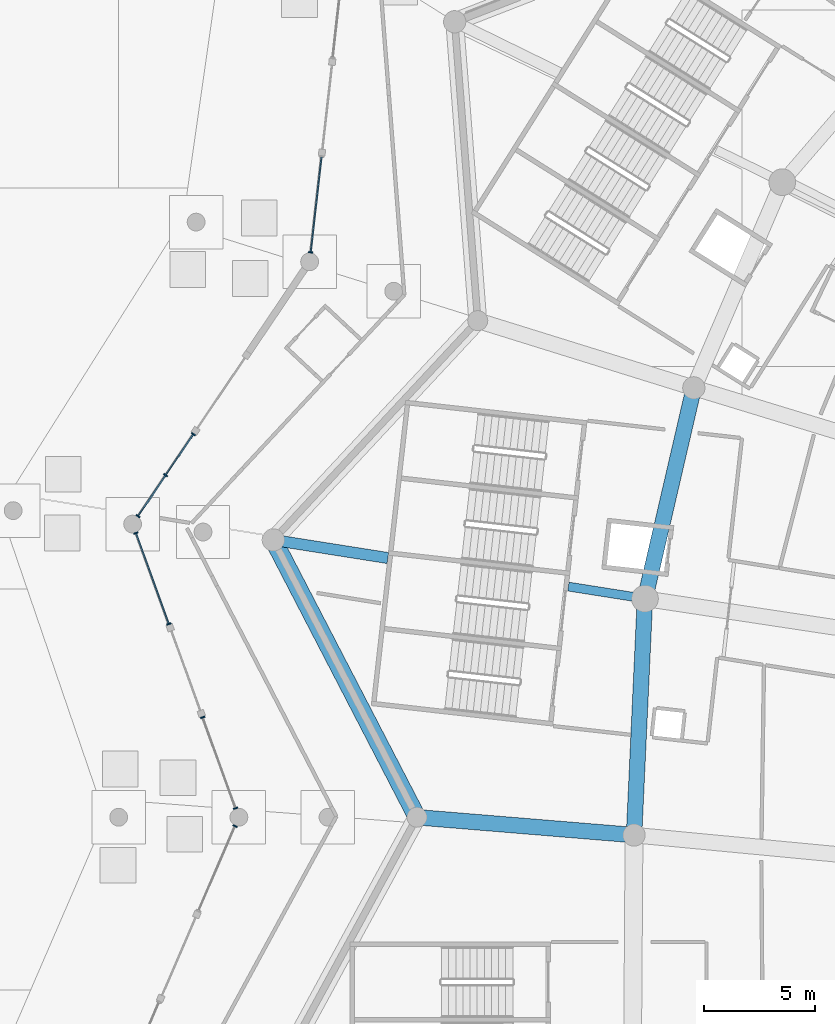
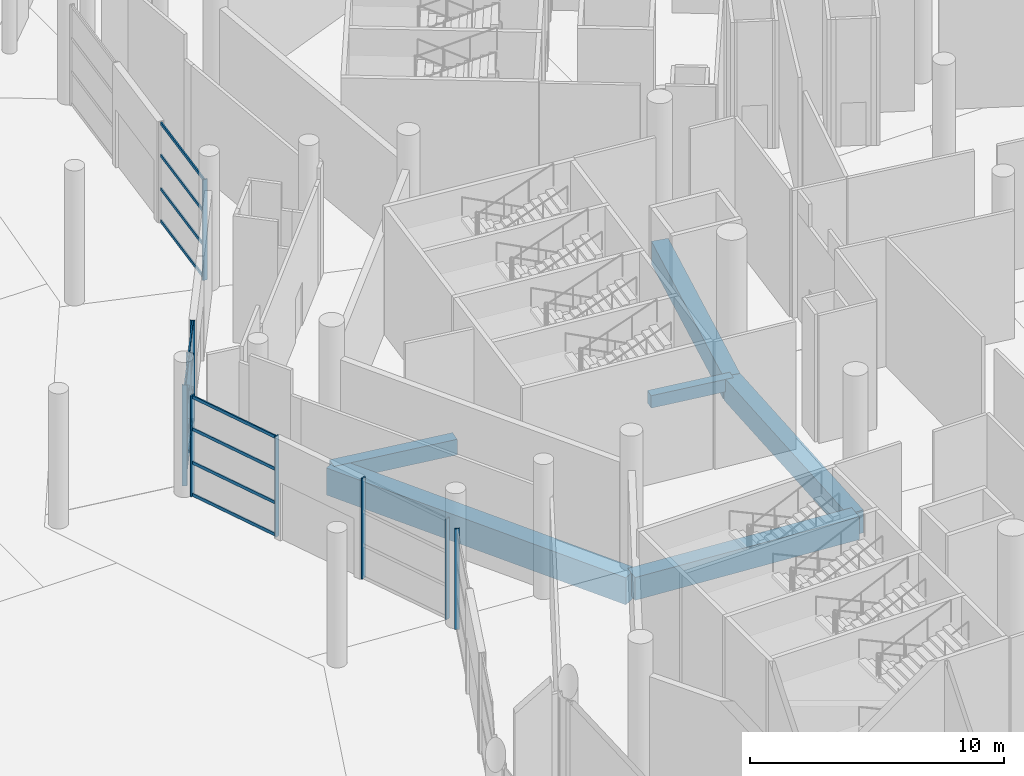
# One storey, part 44 of 255: 25 members, 6 beams, 5 elements without a shape of their own.
"""IFC4 building model written with IfcOpenShell, lengths in metres."""

import ifcopenshell
import ifcopenshell.guid

model = None  # the IFC model being written
_history = None  # IfcOwnerHistory: only IFC2X3 demands one
_inside = {}  # id of a spatial element -> (the spatial element, [elements in it])
_under = {}  # id of a project, library or spatial element -> (it, [spatial elements below it])
_declared = {}  # id of a project -> (the project, [libraries it declares])
_typed = {}  # id of a type object -> (the type object, [elements of that type])
_made_of = {}  # id of a material, layer set ... -> (it, [elements and type objects made of it])


def new_model(schema):
    """Start an empty IFC model of exactly this schema.

    Asked for "IFC4X3", IfcOpenShell would pick the latest addendum, in which some entities
    have other attributes; the version numbers below select the first issue.
    IFC2X3 requires an IfcOwnerHistory on every rooted entity: one is made here for all.
    """
    global model, _history
    if schema == "IFC4X3":
        model = ifcopenshell.file(schema_version=(4, 3, 0, 0))
    else:
        model = ifcopenshell.file(schema=schema)
    _inside.clear()
    _under.clear()
    _declared.clear()
    _typed.clear()
    _made_of.clear()
    _history = None
    if model.schema == "IFC2X3":
        org = make("IfcOrganization", Name="unknown")
        user = make(
            "IfcPersonAndOrganization",
            ThePerson=make("IfcPerson", FamilyName="unknown"),
            TheOrganization=org,
        )
        app = make(
            "IfcApplication",
            ApplicationDeveloper=org,
            Version="unknown",
            ApplicationFullName="unknown",
            ApplicationIdentifier="unknown",
        )
        _history = make(
            "IfcOwnerHistory",
            OwningUser=user,
            OwningApplication=app,
            ChangeAction="ADDED",
            CreationDate=0,
        )
    return model


def make(cls, **values):
    """One entity of the class cls with the attributes given. An attribute that is None is left unset."""
    return model.create_entity(
        cls, **{name: value for name, value in values.items() if value is not None}
    )


def rooted(cls, **values):
    """An entity with a GlobalId (a new one), such as an element, a storey or a relation."""
    return make(cls, GlobalId=ifcopenshell.guid.new(), OwnerHistory=_history, **values)


def si_unit(unit_type, name, prefix=None):
    """IfcSIUnit, for example si_unit("LENGTHUNIT", "METRE", prefix="MILLI")."""
    return make("IfcSIUnit", UnitType=unit_type, Prefix=prefix, Name=name)


def assignment(units):
    """IfcUnitAssignment: the units of a project."""
    return None if units is None else make("IfcUnitAssignment", Units=units)


def point(xyz):
    """IfcCartesianPoint."""
    return None if xyz is None else make("IfcCartesianPoint", Coordinates=xyz)


def direction(xyz):
    """IfcDirection."""
    return None if xyz is None else make("IfcDirection", DirectionRatios=xyz)


def frame(location, z_axis=None, x_axis=None):
    """IfcAxis2Placement3D, a coordinate frame: its origin and axes. An axis left out is left unset."""
    return make(
        "IfcAxis2Placement3D",
        Location=point(location),
        Axis=direction(z_axis),
        RefDirection=direction(x_axis),
    )


def frame_2d(location, x_axis=None):
    """IfcAxis2Placement2D, a coordinate frame in the plane: its origin and x axis."""
    return make(
        "IfcAxis2Placement2D", Location=point(location), RefDirection=direction(x_axis)
    )


def origin():
    """The frame at (0, 0, 0) with its axes left unset."""
    return frame((0.0, 0.0, 0.0))


def origin_2d():
    """The frame at (0, 0) in the plane with its x axis left unset."""
    return frame_2d((0.0, 0.0))


def place(relative_to, where):
    """IfcLocalPlacement: puts the frame where relative to a parent placement (None: the world)."""
    return make(
        "IfcLocalPlacement", PlacementRelTo=relative_to, RelativePlacement=where
    )


def context(
    kind, dimensions, precision=None, world=None, true_north=None, identifier=None
):
    """IfcGeometricRepresentationContext, for example the 3D "Model" context."""
    return make(
        "IfcGeometricRepresentationContext",
        ContextIdentifier=identifier,
        ContextType=kind,
        CoordinateSpaceDimension=dimensions,
        Precision=precision,
        WorldCoordinateSystem=world,
        TrueNorth=true_north,
    )


def subcontext(parent, identifier, kind, view, scale=None):
    """IfcGeometricRepresentationSubContext, for example "Body" below "Model"."""
    return make(
        "IfcGeometricRepresentationSubContext",
        ContextIdentifier=identifier,
        ContextType=kind,
        ParentContext=parent,
        TargetScale=scale,
        TargetView=view,
    )


def project(units=None, contexts=None):
    """IfcProject with its units and contexts."""
    return rooted(
        "IfcProject",
        Name="project",
        RepresentationContexts=contexts,
        UnitsInContext=assignment(units),
    )


def spatial(cls, under=None, at=None, **own):
    """A site, building, storey or space (cls), placed at a placement, below another one or the project."""
    s = rooted(cls, ObjectPlacement=at, **own)
    if under is not None:
        _under.setdefault(under.id(), (under, []))[1].append(s)
    return s


def profile(cls, at=None, kind="AREA", **sizes):
    """A parametric profile (cls). Its sizes go by their IFC names, for example OverallWidth=200.0."""
    return make(cls, ProfileType=kind, Position=at, **sizes)


def rectangle(**sizes):
    """IfcRectangleProfileDef."""
    return profile("IfcRectangleProfileDef", **sizes)


def extrude(swept, where, along, depth):
    """IfcExtrudedAreaSolid: the profile swept, set in the frame where, extruded along a direction by depth."""
    return make(
        "IfcExtrudedAreaSolid",
        SweptArea=swept,
        Position=where,
        ExtrudedDirection=direction(along),
        Depth=depth,
    )


def shape(context_of_items, identifier, shape_type, items):
    """IfcShapeRepresentation: the items that make up one representation, for example the "Body"."""
    return make(
        "IfcShapeRepresentation",
        ContextOfItems=context_of_items,
        RepresentationIdentifier=identifier,
        RepresentationType=shape_type,
        Items=items,
    )


def material(Name=None, Category=None):
    """IfcMaterial."""
    return make("IfcMaterial", Name=Name, Category=Category)


def layer(
    of_material, thickness, ventilated=None, Name=None, Category=None, Priority=None
):
    """IfcMaterialLayer: one layer of a wall or slab, of a material (None: an air gap)."""
    return make(
        "IfcMaterialLayer",
        Material=of_material,
        LayerThickness=thickness,
        IsVentilated=ventilated,
        Name=Name,
        Category=Category,
        Priority=Priority,
    )


def layer_set(layers, Name=None):
    """IfcMaterialLayerSet."""
    return make("IfcMaterialLayerSet", MaterialLayers=layers, LayerSetName=Name)


def material_profile(
    of_material, cross_section, Name=None, Category=None, Priority=None
):
    """IfcMaterialProfile: a cross section and its material."""
    return make(
        "IfcMaterialProfile",
        Name=Name,
        Material=of_material,
        Profile=cross_section,
        Priority=Priority,
        Category=Category,
    )


def profile_set(profiles, Name=None, composite=None):
    """IfcMaterialProfileSet."""
    return make(
        "IfcMaterialProfileSet",
        Name=Name,
        MaterialProfiles=profiles,
        CompositeProfile=composite,
    )


def made_of(thing, what):
    """Note that an element or type object is made of a material, layer set ...; save() writes the relation."""
    if what is not None:
        _made_of.setdefault(what.id(), (what, []))[1].append(thing)
    return thing


def type_object(cls, material=None, **own):
    """A type object (cls), such as IfcWallType, which elements share."""
    return made_of(rooted(cls, **own), material)


def element(
    cls,
    number,
    at=None,
    inside=None,
    cuts=None,
    type_object=None,
    material=None,
    context=None,
    identifier="Body",
    shape_type=None,
    held_by="IfcProductDefinitionShape",
    body=None,
    shapes=None,
    **own,
):
    """One element of the class cls, such as IfcWall. Its Tag is "e" and its number.

    at: its placement. inside: the storey or other place that contains it. cuts: it is an
    opening in that element (IfcRelVoidsElement). A single representation is given by context,
    identifier, shape_type and body (its items); several are given by shapes. held_by: the class
    of the entity that holds the representations. save() writes the other relations.
    """
    e = rooted(cls, Tag="e%d" % number, ObjectPlacement=at, **own)
    if body is not None:
        shapes = [shape(context, identifier, shape_type, body)]
    if shapes is not None:
        e.Representation = make(held_by, Representations=shapes)
    if inside is not None:
        _inside.setdefault(inside.id(), (inside, []))[1].append(e)
    if cuts is not None:
        rooted(
            "IfcRelVoidsElement", RelatingBuildingElement=cuts, RelatedOpeningElement=e
        )
    if type_object is not None:
        _typed.setdefault(type_object.id(), (type_object, []))[1].append(e)
    return made_of(e, material)


def aggregate(whole, parts):
    """IfcRelAggregates: a whole, such as a stair, and the parts it consists of."""
    return rooted("IfcRelAggregates", RelatingObject=whole, RelatedObjects=parts)


def save(model, path):
    """Write the relations noted so far, then the file.

    IfcRelAggregates (storeys below a building ...), IfcRelContainedInSpatialStructure (elements
    in a storey), IfcRelDefinesByType, IfcRelAssociatesMaterial and IfcRelDeclares: one each for
    every whole, place, type object, material and project.
    """
    for whole, parts in _under.values():
        aggregate(whole, parts)
    for where, things in _inside.values():
        rooted(
            "IfcRelContainedInSpatialStructure",
            RelatedElements=things,
            RelatingStructure=where,
        )
    for kind, things in _typed.values():
        rooted("IfcRelDefinesByType", RelatedObjects=things, RelatingType=kind)
    for what, things in _made_of.values():
        rooted("IfcRelAssociatesMaterial", RelatedObjects=things, RelatingMaterial=what)
    for by, libraries in _declared.values():
        rooted("IfcRelDeclares", RelatingContext=by, RelatedDefinitions=libraries)
    model.write(path)


model = new_model("IFC4")

# Units and contexts
model_context = context("Model", 3, precision=1e-05, world=origin(), true_north=direction((0.0, 1.0)))
body_context = subcontext(model_context, "Body", "Model", "MODEL_VIEW")
ifc_project = project(units=[si_unit("LENGTHUNIT", "METRE"), si_unit("AREAUNIT", "SQUARE_METRE"), si_unit("VOLUMEUNIT", "CUBIC_METRE"), si_unit("PLANEANGLEUNIT", "RADIAN"), si_unit("MASSUNIT", "GRAM", prefix="KILO")], contexts=[model_context])

# Site, building, storey
site_placement = place(None, origin())
site = spatial("IfcSite", under=ifc_project, at=site_placement, CompositionType="ELEMENT")
building_placement = place(site_placement, origin())
building = spatial("IfcBuilding", under=site, at=building_placement, Name="Meseta Stadium", CompositionType="ELEMENT")
storey_placement = place(building_placement, origin())
storey = spatial("IfcBuildingStorey", under=building, at=storey_placement, Name="L00", CompositionType="ELEMENT", Elevation=0.0)

# Beams
ifc_material_1 = material(Name="Concrete C40/50", Category="concrete")
ifc_material_profile_1 = material_profile(ifc_material_1, rectangle(XDim=0.39990234375, YDim=0.60009765625, at=origin_2d()), Name="RC 400x600")
ifc_profile_set_1 = profile_set([ifc_material_profile_1], Name="Concrete C40/50")
beam_type_1 = type_object("IfcBeamType", Name="RC beam 400x600", PredefinedType="BEAM", material=ifc_profile_set_1)
beam_1_placement = place(storey_placement, frame((-84.36328125, 53.5654296875, -0.699951171875), z_axis=(-0.987745905014, 0.156070583799, 0.0), x_axis=(-0.156070583799, -0.987745905014, 0.0)))
element("IfcBeam", 1, at=beam_1_placement, inside=storey, type_object=beam_type_1, Name="L00 radial beam frame 28 line P to R", PredefinedType="BEAM", context=body_context, shape_type="SweptSolid", body=[
    extrude(rectangle(XDim=0.39990234375, YDim=0.60009765625, at=origin_2d()), origin(), (0.0, 0.0, 1.0), 3.482177734375),
])
ifc_material_2 = material(Name="Concrete C40/50", Category="concrete")
ifc_material_profile_2 = material_profile(ifc_material_2, rectangle(XDim=0.5, YDim=0.75, at=origin_2d()), Name="RC 500x750")
ifc_profile_set_2 = profile_set([ifc_material_profile_2], Name="Concrete C40/50")
beam_type_2 = type_object("IfcBeamType", Name="RC beam 500x750", PredefinedType="BEAM", material=ifc_profile_set_2)
beam_2_placement = place(storey_placement, frame((-95.910400390625, 55.390380859375, -0.77490234375), z_axis=(-0.987742039994, 0.156095042932, 0.0), x_axis=(-0.156095042932, -0.987742039994, 0.0)))
element("IfcBeam", 2, at=beam_2_placement, inside=storey, type_object=beam_type_2, Name="L00 radial beam frame 28 line P to R", PredefinedType="BEAM", context=body_context, shape_type="SweptSolid", body=[
    extrude(rectangle(XDim=0.5, YDim=0.75, at=origin_2d()), origin(), (0.0, 0.0, 1.0), 5.205078125),
])
ifc_material_3 = material(Name="Concrete C40/50", Category="concrete")
ifc_material_profile_3 = material_profile(ifc_material_3, rectangle(XDim=0.699951171875, YDim=1.10009765625, at=origin_2d()), Name="RC 700x1100")
ifc_profile_set_3 = profile_set([ifc_material_profile_3], Name="Concrete C40/50")
beam_type_3 = type_object("IfcBeamType", Name="RC beam 700x1100", PredefinedType="BEAM", material=ifc_profile_set_3)
beam_3_placement = place(storey_placement, frame((-82.169189453125, 63.03369140625, -0.949951171875), z_axis=(-0.225749180431, -0.974185458491, 0.0), x_axis=(0.974185458491, -0.225749180431, 0.0)))
element("IfcBeam", 3, at=beam_3_placement, inside=storey, type_object=beam_type_3, Name="L00 ring beam frame 27 line P", PredefinedType="BEAM", context=body_context, shape_type="SweptSolid", body=[
    extrude(rectangle(XDim=0.699951171875, YDim=1.10009765625, at=origin_2d()), origin(), (0.0, 0.0, 1.0), 9.71923828125),
])
beam_4_placement = place(storey_placement, frame((-84.36328125, 53.5654296875, -0.949951171875), z_axis=(-0.046171416705, -0.998933531462, 0.0), x_axis=(0.998933531462, -0.046171416705, 0.0)))
element("IfcBeam", 4, at=beam_4_placement, inside=storey, type_object=beam_type_3, Name="L00 ring beam frame 28 line P", PredefinedType="BEAM", context=body_context, shape_type="SweptSolid", body=[
    extrude(rectangle(XDim=0.699951171875, YDim=1.10009765625, at=origin_2d()), origin(), (0.0, 0.0, 1.0), 10.628173828125),
])
beam_5_placement = place(storey_placement, frame((-84.85400390625, 42.948486328125, -0.949951171875), z_axis=(-0.996635391437, 0.081962775303, 0.0), x_axis=(-0.081962775303, -0.996635391437, 0.0)))
element("IfcBeam", 5, at=beam_5_placement, inside=storey, type_object=beam_type_3, Name="L00 radial beam frame 29 line P to R", PredefinedType="BEAM", context=body_context, shape_type="SweptSolid", body=[
    extrude(rectangle(XDim=0.699951171875, YDim=1.10009765625, at=origin_2d()), origin(), (0.0, 0.0, 1.0), 9.779052734375),
])
ifc_material_4 = material(Name="Concrete C40/50", Category="concrete")
ifc_material_profile_4 = material_profile(ifc_material_4, rectangle(XDim=0.800048828125, YDim=1.300048828125, at=origin_2d()), Name="RC 800x1300")
ifc_profile_set_4 = profile_set([ifc_material_profile_4], Name="Concrete C40/50")
beam_type_4 = type_object("IfcBeamType", Name="RC beam 800x1300", PredefinedType="BEAM", material=ifc_profile_set_4)
beam_6_placement = place(storey_placement, frame((-101.0517578125, 56.202880859375, -1.050048828125), z_axis=(0.460014301189, -0.887911506121, 0.0), x_axis=(0.887911506121, 0.460014301189, 0.0)))
element("IfcBeam", 6, at=beam_6_placement, inside=storey, type_object=beam_type_4, Name="L00 ring beam frame 28 line R", PredefinedType="BEAM", context=body_context, shape_type="SweptSolid", body=[
    extrude(rectangle(XDim=0.800048828125, YDim=1.300048828125, at=origin_2d()), origin(), (0.0, 0.0, 1.0), 14.02490234375),
])

# Curtain wall, member
ifc_material_5 = material(Name="Aluminium", Category="aluminium")
ifc_layer = layer(ifc_material_5, 0.199951171875)
ifc_layer_set = layer_set([ifc_layer], Name="Ring shopfront curtain wall")
curtain_wall_type = type_object("IfcCurtainWallType", Name="Ring shopfront curtain wall", PredefinedType="NOTDEFINED", material=ifc_layer_set)
curtain_wall_1_placement = place(storey_placement, origin())
curtain_wall_1 = element("IfcCurtainWall", 7, at=curtain_wall_1_placement, inside=storey, type_object=curtain_wall_type, Name="Shopfront glazing F26b", PredefinedType="NOTDEFINED")
ifc_material_6 = material(Name="Aluminium", Category="aluminium")
ifc_material_profile_5 = material_profile(ifc_material_6, rectangle(XDim=0.199951171875, YDim=0.06005859375, at=origin_2d()), Name="CW 200x60")
ifc_profile_set_5 = profile_set([ifc_material_profile_5], Name="Aluminium")
member_type_1 = type_object("IfcMemberType", Name="Ring CW mullion 60x200", PredefinedType="MULLION", material=ifc_profile_set_5)
member_1_placement = place(storey_placement, frame((-99.37548828125, 69.12109375, 0.0), z_axis=(0.0, 0.0, 1.0), x_axis=(0.993654842707, -0.112472456913, 0.0)))
member_1 = element("IfcMember", 8, at=member_1_placement, type_object=member_type_1, Name="CWR1 mullion 2", PredefinedType="MULLION", context=body_context, shape_type="SweptSolid", body=[
    extrude(rectangle(XDim=0.199951171875, YDim=0.06005859375, at=origin_2d()), origin(), (0.0, 0.0, 1.0), 4.85009765625),
])

# Curtain wall, members
curtain_wall_2_placement = place(storey_placement, origin())
curtain_wall_2 = element("IfcCurtainWall", 9, at=curtain_wall_2_placement, inside=storey, type_object=curtain_wall_type, Name="Shopfront glazing F27b", PredefinedType="NOTDEFINED")
member_2_placement = place(storey_placement, frame((-104.6455078125, 60.955810546875, 0.0), z_axis=(0.0, 0.0, 1.0), x_axis=(0.828919178909, -0.559368389201, 0.0)))
member_2 = element("IfcMember", 10, at=member_2_placement, type_object=member_type_1, Name="CWR1 mullion 1", PredefinedType="MULLION", context=body_context, shape_type="SweptSolid", body=[
    extrude(rectangle(XDim=0.199951171875, YDim=0.06005859375, at=origin_2d()), origin(), (0.0, 0.0, 1.0), 4.85009765625),
])
member_3_placement = place(storey_placement, frame((-105.888671875, 59.11376953125, 0.0), z_axis=(0.0, 0.0, 1.0), x_axis=(0.828919178909, -0.559368389201, 0.0)))
member_3 = element("IfcMember", 11, at=member_3_placement, type_object=member_type_1, Name="CWR1 mullion 2", PredefinedType="MULLION", context=body_context, shape_type="SweptSolid", body=[
    extrude(rectangle(XDim=0.199951171875, YDim=0.06005859375, at=origin_2d()), origin(), (0.0, 0.0, 1.0), 4.85009765625),
])
member_4_placement = place(storey_placement, frame((-107.1318359375, 57.271484375, 0.0), z_axis=(0.0, 0.0, 1.0), x_axis=(0.828919178909, -0.559368389201, 0.0)))
member_4 = element("IfcMember", 12, at=member_4_placement, type_object=member_type_1, Name="CWR1 mullion 3", PredefinedType="MULLION", context=body_context, shape_type="SweptSolid", body=[
    extrude(rectangle(XDim=0.199951171875, YDim=0.06005859375, at=origin_2d()), origin(), (0.0, 0.0, 1.0), 4.85009765625),
])

curtain_wall_3_placement = place(storey_placement, origin())
curtain_wall_3 = element("IfcCurtainWall", 13, at=curtain_wall_3_placement, inside=storey, type_object=curtain_wall_type, Name="Shopfront glazing F28a", PredefinedType="NOTDEFINED")
member_5_placement = place(storey_placement, frame((-107.225830078125, 56.5107421875, 0.0), z_axis=(0.0, 0.0, 1.0), x_axis=(0.940135883188, 0.340799825619, 0.0)))
member_5 = element("IfcMember", 14, at=member_5_placement, type_object=member_type_1, Name="CWR1 mullion 1", PredefinedType="MULLION", context=body_context, shape_type="SweptSolid", body=[
    extrude(rectangle(XDim=0.199951171875, YDim=0.06005859375, at=origin_2d()), origin(), (0.0, 0.0, 1.0), 4.85009765625),
])
member_6_placement = place(storey_placement, frame((-105.74609375, 52.428955078125, 0.0), z_axis=(0.0, 0.0, 1.0), x_axis=(0.940135883188, 0.340799825619, 0.0)))
member_6 = element("IfcMember", 15, at=member_6_placement, type_object=member_type_1, Name="CWR1 mullion 2", PredefinedType="MULLION", context=body_context, shape_type="SweptSolid", body=[
    extrude(rectangle(XDim=0.199951171875, YDim=0.06005859375, at=origin_2d()), origin(), (0.0, 0.0, 1.0), 4.85009765625),
])

curtain_wall_4_placement = place(storey_placement, origin())
curtain_wall_4 = element("IfcCurtainWall", 16, at=curtain_wall_4_placement, inside=storey, type_object=curtain_wall_type, Name="Shopfront glazing F28b", PredefinedType="NOTDEFINED")
member_7_placement = place(storey_placement, frame((-104.22607421875, 48.236083984375, 0.0), z_axis=(0.0, 0.0, 1.0), x_axis=(0.940133244479, 0.340807104716, 0.0)))
member_7 = element("IfcMember", 17, at=member_7_placement, type_object=member_type_1, Name="CWR1 mullion 1", PredefinedType="MULLION", context=body_context, shape_type="SweptSolid", body=[
    extrude(rectangle(XDim=0.199951171875, YDim=0.06005859375, at=origin_2d()), origin(), (0.0, 0.0, 1.0), 4.85009765625),
])
member_8_placement = place(storey_placement, frame((-102.74658203125, 44.154296875, 0.0), z_axis=(0.0, 0.0, 1.0), x_axis=(0.940133244479, 0.340807104716, 0.0)))
member_8 = element("IfcMember", 18, at=member_8_placement, type_object=member_type_1, Name="CWR1 mullion 2", PredefinedType="MULLION", context=body_context, shape_type="SweptSolid", body=[
    extrude(rectangle(XDim=0.199951171875, YDim=0.06005859375, at=origin_2d()), origin(), (0.0, 0.0, 1.0), 4.85009765625),
])
aggregate(curtain_wall_4, [member_7, member_8])

# Curtain wall, member
curtain_wall_5_placement = place(storey_placement, origin())
curtain_wall_5 = element("IfcCurtainWall", 19, at=curtain_wall_5_placement, inside=storey, type_object=curtain_wall_type, Name="Shopfront glazing F29a", PredefinedType="NOTDEFINED")
member_9_placement = place(storey_placement, frame((-102.7705078125, 43.355224609375, 0.0), z_axis=(0.0, 0.0, 1.0), x_axis=(0.918001803218, -0.396576208678, 0.0)))
member_9 = element("IfcMember", 20, at=member_9_placement, type_object=member_type_1, Name="CWR1 mullion 1", PredefinedType="MULLION", context=body_context, shape_type="SweptSolid", body=[
    extrude(rectangle(XDim=0.199951171875, YDim=0.06005859375, at=origin_2d()), origin(), (0.0, 0.0, 1.0), 4.85009765625),
])
aggregate(curtain_wall_5, [member_9])

# Member
ifc_material_7 = material(Name="Aluminium", Category="aluminium")
ifc_material_profile_6 = material_profile(ifc_material_7, rectangle(XDim=0.06005859375, YDim=0.14990234375, at=origin_2d()), Name="CW 60x150")
ifc_profile_set_6 = profile_set([ifc_material_profile_6], Name="Aluminium")
member_type_2 = type_object("IfcMemberType", Name="Ring CW transom 60x150", PredefinedType="USERDEFINED", material=ifc_profile_set_6)
member_10_placement = place(storey_placement, frame((-98.89208984375, 73.3916015625, 0.074951171875), z_axis=(-0.112465570135, -0.993655622202, 0.0), x_axis=(0.993655622202, -0.112465570135, 0.0)))
member_10 = element("IfcMember", 21, at=member_10_placement, type_object=member_type_2, Name="CWR1 transom 1.1", ObjectType="TRANSOM", PredefinedType="USERDEFINED", context=body_context, shape_type="SweptSolid", body=[
    extrude(rectangle(XDim=0.06005859375, YDim=0.14990234375, at=origin_2d()), origin(), (0.0, 0.0, 1.0), 4.267822265625),
])

member_11_placement = place(storey_placement, frame((-98.89208984375, 73.3916015625, 1.61669921875), z_axis=(-0.112465570135, -0.993655622202, 0.0), x_axis=(0.993655622202, -0.112465570135, 0.0)))
member_11 = element("IfcMember", 22, at=member_11_placement, type_object=member_type_2, Name="CWR1 transom 1.2", ObjectType="TRANSOM", PredefinedType="USERDEFINED", context=body_context, shape_type="SweptSolid", body=[
    extrude(rectangle(XDim=0.06005859375, YDim=0.14990234375, at=origin_2d()), origin(), (0.0, 0.0, 1.0), 4.267822265625),
])

member_12_placement = place(storey_placement, frame((-98.89208984375, 73.3916015625, 3.2333984375), z_axis=(-0.112465570135, -0.993655622202, 0.0), x_axis=(0.993655622202, -0.112465570135, 0.0)))
member_12 = element("IfcMember", 23, at=member_12_placement, type_object=member_type_2, Name="CWR1 transom 1.3", ObjectType="TRANSOM", PredefinedType="USERDEFINED", context=body_context, shape_type="SweptSolid", body=[
    extrude(rectangle(XDim=0.06005859375, YDim=0.14990234375, at=origin_2d()), origin(), (0.0, 0.0, 1.0), 4.267822265625),
])

member_13_placement = place(storey_placement, frame((-98.89208984375, 73.3916015625, 4.77490234375), z_axis=(-0.112465570135, -0.993655622202, 0.0), x_axis=(0.993655622202, -0.112465570135, 0.0)))
member_13 = element("IfcMember", 24, at=member_13_placement, type_object=member_type_2, Name="CWR1 transom 1.4", ObjectType="TRANSOM", PredefinedType="USERDEFINED", context=body_context, shape_type="SweptSolid", body=[
    extrude(rectangle(XDim=0.06005859375, YDim=0.14990234375, at=origin_2d()), origin(), (0.0, 0.0, 1.0), 4.267822265625),
])

aggregate(curtain_wall_1, [member_1, member_10, member_11, member_12, member_13])

member_14_placement = place(storey_placement, frame((-104.662353515625, 60.93115234375, 0.074951171875), z_axis=(-0.559329352587, -0.828945520124, 0.0), x_axis=(0.828945520124, -0.559329352587, 0.0)))
member_14 = element("IfcMember", 25, at=member_14_placement, type_object=member_type_2, Name="CWR1 transom 1.1", ObjectType="TRANSOM", PredefinedType="USERDEFINED", context=body_context, shape_type="SweptSolid", body=[
    extrude(rectangle(XDim=0.06005859375, YDim=0.14990234375, at=origin_2d()), origin(), (0.0, 0.0, 1.0), 2.162353515625),
])

member_15_placement = place(storey_placement, frame((-104.662353515625, 60.93115234375, 1.61669921875), z_axis=(-0.559329352587, -0.828945520124, 0.0), x_axis=(0.828945520124, -0.559329352587, 0.0)))
member_15 = element("IfcMember", 26, at=member_15_placement, type_object=member_type_2, Name="CWR1 transom 1.2", ObjectType="TRANSOM", PredefinedType="USERDEFINED", context=body_context, shape_type="SweptSolid", body=[
    extrude(rectangle(XDim=0.06005859375, YDim=0.14990234375, at=origin_2d()), origin(), (0.0, 0.0, 1.0), 2.162353515625),
])

member_16_placement = place(storey_placement, frame((-104.662353515625, 60.93115234375, 3.2333984375), z_axis=(-0.559329352587, -0.828945520124, 0.0), x_axis=(0.828945520124, -0.559329352587, 0.0)))
member_16 = element("IfcMember", 27, at=member_16_placement, type_object=member_type_2, Name="CWR1 transom 1.3", ObjectType="TRANSOM", PredefinedType="USERDEFINED", context=body_context, shape_type="SweptSolid", body=[
    extrude(rectangle(XDim=0.06005859375, YDim=0.14990234375, at=origin_2d()), origin(), (0.0, 0.0, 1.0), 2.162353515625),
])

member_17_placement = place(storey_placement, frame((-104.662353515625, 60.93115234375, 4.77490234375), z_axis=(-0.559329352587, -0.828945520124, 0.0), x_axis=(0.828945520124, -0.559329352587, 0.0)))
member_17 = element("IfcMember", 28, at=member_17_placement, type_object=member_type_2, Name="CWR1 transom 1.4", ObjectType="TRANSOM", PredefinedType="USERDEFINED", context=body_context, shape_type="SweptSolid", body=[
    extrude(rectangle(XDim=0.06005859375, YDim=0.14990234375, at=origin_2d()), origin(), (0.0, 0.0, 1.0), 2.162353515625),
])

member_18_placement = place(storey_placement, frame((-105.905517578125, 59.0888671875, 0.074951171875), z_axis=(-0.559329352587, -0.828945520124, 0.0), x_axis=(0.828945520124, -0.559329352587, 0.0)))
member_18 = element("IfcMember", 29, at=member_18_placement, type_object=member_type_2, Name="CWR1 transom 2.1", ObjectType="TRANSOM", PredefinedType="USERDEFINED", context=body_context, shape_type="SweptSolid", body=[
    extrude(rectangle(XDim=0.06005859375, YDim=0.14990234375, at=origin_2d()), origin(), (0.0, 0.0, 1.0), 2.162353515625),
])

member_19_placement = place(storey_placement, frame((-105.905517578125, 59.0888671875, 1.61669921875), z_axis=(-0.559329352587, -0.828945520124, 0.0), x_axis=(0.828945520124, -0.559329352587, 0.0)))
member_19 = element("IfcMember", 30, at=member_19_placement, type_object=member_type_2, Name="CWR1 transom 2.2", ObjectType="TRANSOM", PredefinedType="USERDEFINED", context=body_context, shape_type="SweptSolid", body=[
    extrude(rectangle(XDim=0.06005859375, YDim=0.14990234375, at=origin_2d()), origin(), (0.0, 0.0, 1.0), 2.162353515625),
])

member_20_placement = place(storey_placement, frame((-105.905517578125, 59.0888671875, 3.2333984375), z_axis=(-0.559329352587, -0.828945520124, 0.0), x_axis=(0.828945520124, -0.559329352587, 0.0)))
member_20 = element("IfcMember", 31, at=member_20_placement, type_object=member_type_2, Name="CWR1 transom 2.3", ObjectType="TRANSOM", PredefinedType="USERDEFINED", context=body_context, shape_type="SweptSolid", body=[
    extrude(rectangle(XDim=0.06005859375, YDim=0.14990234375, at=origin_2d()), origin(), (0.0, 0.0, 1.0), 2.162353515625),
])

member_21_placement = place(storey_placement, frame((-105.905517578125, 59.0888671875, 4.77490234375), z_axis=(-0.559329352587, -0.828945520124, 0.0), x_axis=(0.828945520124, -0.559329352587, 0.0)))
member_21 = element("IfcMember", 32, at=member_21_placement, type_object=member_type_2, Name="CWR1 transom 2.4", ObjectType="TRANSOM", PredefinedType="USERDEFINED", context=body_context, shape_type="SweptSolid", body=[
    extrude(rectangle(XDim=0.06005859375, YDim=0.14990234375, at=origin_2d()), origin(), (0.0, 0.0, 1.0), 2.162353515625),
])

aggregate(curtain_wall_2, [member_2, member_3, member_4, member_14, member_15, member_16, member_17, member_18, member_19, member_20, member_21])

member_22_placement = place(storey_placement, frame((-107.215576171875, 56.482666015625, 0.074951171875), z_axis=(0.340804363301, -0.940134238263, 0.0), x_axis=(0.940134238263, 0.340804363301, 0.0)))
member_22 = element("IfcMember", 33, at=member_22_placement, type_object=member_type_2, Name="CWR1 transom 1.1", ObjectType="TRANSOM", PredefinedType="USERDEFINED", context=body_context, shape_type="SweptSolid", body=[
    extrude(rectangle(XDim=0.06005859375, YDim=0.14990234375, at=origin_2d()), origin(), (0.0, 0.0, 1.0), 4.28173828125),
])

member_23_placement = place(storey_placement, frame((-107.215576171875, 56.482666015625, 1.61669921875), z_axis=(0.340804363301, -0.940134238263, 0.0), x_axis=(0.940134238263, 0.340804363301, 0.0)))
member_23 = element("IfcMember", 34, at=member_23_placement, type_object=member_type_2, Name="CWR1 transom 1.2", ObjectType="TRANSOM", PredefinedType="USERDEFINED", context=body_context, shape_type="SweptSolid", body=[
    extrude(rectangle(XDim=0.06005859375, YDim=0.14990234375, at=origin_2d()), origin(), (0.0, 0.0, 1.0), 4.28173828125),
])

member_24_placement = place(storey_placement, frame((-107.215576171875, 56.482666015625, 3.2333984375), z_axis=(0.340804363301, -0.940134238263, 0.0), x_axis=(0.940134238263, 0.340804363301, 0.0)))
member_24 = element("IfcMember", 35, at=member_24_placement, type_object=member_type_2, Name="CWR1 transom 1.3", ObjectType="TRANSOM", PredefinedType="USERDEFINED", context=body_context, shape_type="SweptSolid", body=[
    extrude(rectangle(XDim=0.06005859375, YDim=0.14990234375, at=origin_2d()), origin(), (0.0, 0.0, 1.0), 4.28173828125),
])

member_25_placement = place(storey_placement, frame((-107.215576171875, 56.482666015625, 4.77490234375), z_axis=(0.340804363301, -0.940134238263, 0.0), x_axis=(0.940134238263, 0.340804363301, 0.0)))
member_25 = element("IfcMember", 36, at=member_25_placement, type_object=member_type_2, Name="CWR1 transom 1.4", ObjectType="TRANSOM", PredefinedType="USERDEFINED", context=body_context, shape_type="SweptSolid", body=[
    extrude(rectangle(XDim=0.06005859375, YDim=0.14990234375, at=origin_2d()), origin(), (0.0, 0.0, 1.0), 4.28173828125),
])

aggregate(curtain_wall_3, [member_5, member_6, member_22, member_23, member_24, member_25])

save(model, "model.ifc")
